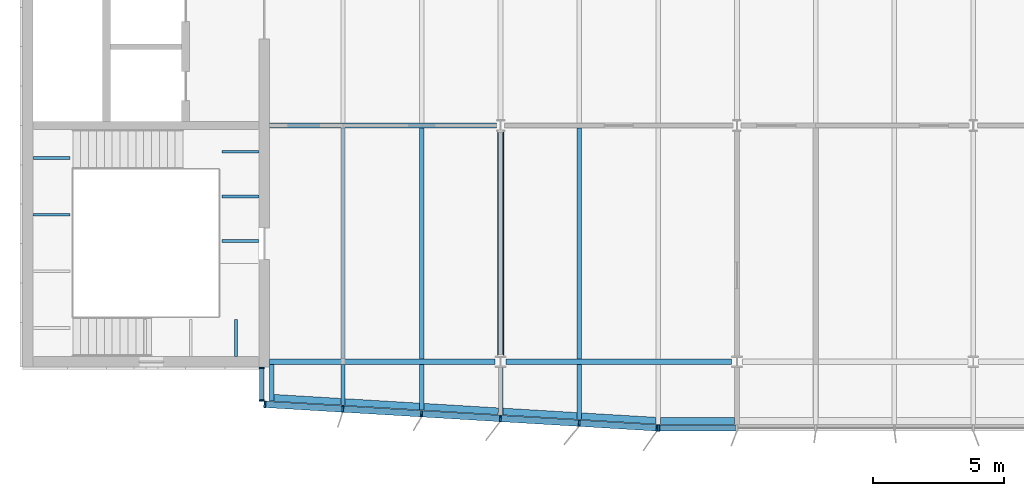
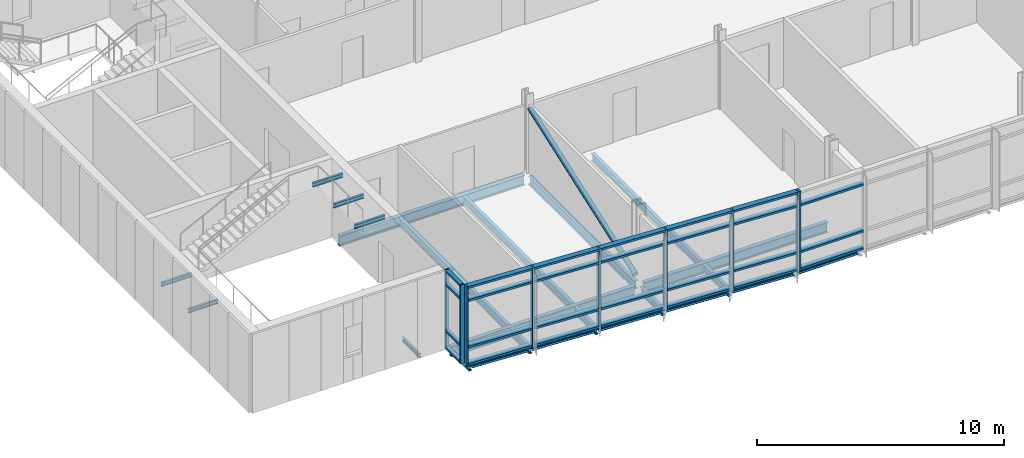
# One storey, part 2 of 18: 37 members, 24 beams, 3 elements without a shape of their own.
"""IFC4 building model written with IfcOpenShell, lengths in metres."""

from ifc_helpers import new_model, si_unit, direction, frame, origin, origin_2d, place, context, subcontext, project, spatial, rectangle, hollow_circle, i_section, extrude, material, material_profile, profile_set, type_object, element, aggregate, save


model = new_model("IFC4")

# Units and contexts
model_context = context("Model", 3, precision=1e-05, world=origin(), true_north=direction((0.0, 1.0)))
body_context = subcontext(model_context, "Body", "Model", "MODEL_VIEW")
ifc_project = project(units=[si_unit("LENGTHUNIT", "METRE"), si_unit("AREAUNIT", "SQUARE_METRE"), si_unit("VOLUMEUNIT", "CUBIC_METRE"), si_unit("PLANEANGLEUNIT", "RADIAN"), si_unit("MASSUNIT", "GRAM", prefix="KILO")], contexts=[model_context])

# Site, building, storey
site_placement = place(None, origin())
site = spatial("IfcSite", under=ifc_project, at=site_placement, CompositionType="ELEMENT")
building_placement = place(site_placement, origin())
building = spatial("IfcBuilding", under=site, at=building_placement, Name="Azimuth Sports and Learning Centre", CompositionType="ELEMENT")
storey_placement = place(building_placement, frame((0.0, 0.0, 63.60009765625)))
storey = spatial("IfcBuildingStorey", under=building, at=storey_placement, Name="L14", CompositionType="ELEMENT", Elevation=63.60009765625)

# Beams
ifc_material_1 = material(Name="Steel S355", Category="steel")
ifc_material_profile_1 = material_profile(ifc_material_1, i_section(OverallWidth=0.10009765625, OverallDepth=0.199951171875, WebThickness=0.005615234375, FlangeThickness=0.008544921875, FilletRadius=0.011962890625, at=origin_2d()), Name="IPE 200")
ifc_profile_set_1 = profile_set([ifc_material_profile_1], Name="Steel S355")
beam_type_1 = type_object("IfcBeamType", Name="Beam IPE 200", PredefinedType="BEAM", material=ifc_profile_set_1)
for number, where, z_axis, x_axis, name in (
    (1, (61.9267578125, 90.199951171875, -0.300048828125), (0.0, 1.0, 0.0), (-1.0, 0.0, 0.0), "Landing bracket W1 L14 141"),
    (2, (54.199951171875, 95.603759765625, 1.349853515625), (1.0, 0.0, 0.0), (0.0, 1.0, 0.0), "Landing bracket W1 L14 144"),
    (3, (54.199951171875, 97.76123046875, 1.349853515625), (1.0, 0.0, 0.0), (0.0, 1.0, 0.0), "Landing bracket W1 L14 145"),
    (4, (62.800048828125, 94.598388671875, 3.599853515625), (-1.0, 0.0, 0.0), (0.0, -1.0, 0.0), "Landing bracket W1 L14 146"),
    (5, (62.800048828125, 96.294921875, 3.599853515625), (-1.0, 0.0, 0.0), (0.0, -1.0, 0.0), "Landing bracket W1 L14 147"),
    (6, (62.800048828125, 97.99169921875, 3.599853515625), (-1.0, 0.0, 0.0), (0.0, -1.0, 0.0), "Landing bracket W1 L14 148"),
):
    element("IfcBeam", number, at=place(storey_placement, frame(where, z_axis=z_axis, x_axis=x_axis)), inside=storey, type_object=beam_type_1, Name=name, PredefinedType="BEAM", context=body_context, shape_type="SweptSolid", body=[
        extrude(i_section(OverallWidth=0.10009765625, OverallDepth=0.199951171875, WebThickness=0.005615234375, FlangeThickness=0.008544921875, FilletRadius=0.011962890625, at=origin_2d()), origin(), (0.0, 0.0, 1.0), 1.41015625),
    ])
ifc_material_2 = material(Name="Steel S355", Category="steel")
ifc_material_profile_2 = material_profile(ifc_material_2, i_section(OverallWidth=0.179931640625, OverallDepth=0.39990234375, WebThickness=0.008544921875, FlangeThickness=0.013427734375, FilletRadius=0.02099609375, at=origin_2d()), Name="IPE 400")
ifc_profile_set_2 = profile_set([ifc_material_profile_2], Name="Steel S355")
beam_type_2 = type_object("IfcBeamType", Name="Beam IPE 400", PredefinedType="BEAM", material=ifc_profile_set_2)
beam_1_placement = place(storey_placement, frame((72.0, 90.217529296875, -0.330078125), z_axis=(0.0, 1.0, 0.0), x_axis=(-1.0, 0.0, 0.0)))
element("IfcBeam", 7, at=beam_1_placement, inside=storey, type_object=beam_type_2, Name="Tower tie", PredefinedType="BEAM", context=body_context, shape_type="SweptSolid", body=[
    extrude(i_section(OverallWidth=0.179931640625, OverallDepth=0.39990234375, WebThickness=0.008544921875, FlangeThickness=0.013427734375, FilletRadius=0.02099609375, at=origin_2d()), origin(), (0.0, 0.0, 1.0), 8.56640625),
])
ifc_material_3 = material(Name="Steel S355", Category="steel")
ifc_material_profile_3 = material_profile(ifc_material_3, i_section(OverallWidth=0.199951171875, OverallDepth=0.5, WebThickness=0.01025390625, FlangeThickness=0.01611328125, FilletRadius=0.02099609375, at=origin_2d()), Name="IPE 500")
ifc_profile_set_3 = profile_set([ifc_material_profile_3], Name="Steel S355")
beam_type_3 = type_object("IfcBeamType", Name="Beam IPE 500", PredefinedType="BEAM", material=ifc_profile_set_3)
beam_2_placement = place(storey_placement, frame((63.199951171875, 90.0, -0.380126953125), z_axis=(1.0, 0.0, 0.0), x_axis=(0.0, 1.0, 0.0)))
element("IfcBeam", 8, at=beam_2_placement, inside=storey, type_object=beam_type_3, Name="Tower girder L14", PredefinedType="BEAM", context=body_context, shape_type="SweptSolid", body=[
    extrude(i_section(OverallWidth=0.199951171875, OverallDepth=0.5, WebThickness=0.01025390625, FlangeThickness=0.01611328125, FilletRadius=0.02099609375, at=origin_2d()), origin(), (0.0, 0.0, 1.0), 8.593994140625),
])
beam_3_placement = place(storey_placement, frame((72.2060546875, 90.0, -0.380126953125), z_axis=(1.0, 0.0, 0.0), x_axis=(0.0, 1.0, 0.0)))
element("IfcBeam", 9, at=beam_3_placement, inside=storey, type_object=beam_type_3, Name="Tower girder L14", PredefinedType="BEAM", context=body_context, shape_type="SweptSolid", body=[
    extrude(i_section(OverallWidth=0.199951171875, OverallDepth=0.5, WebThickness=0.01025390625, FlangeThickness=0.01611328125, FilletRadius=0.02099609375, at=origin_2d()), origin(), (0.0, 0.0, 1.0), 8.587890625),
])
beam_4_placement = place(storey_placement, frame((63.199951171875, 99.0, -0.380126953125), z_axis=(1.0, 0.0, 0.0), x_axis=(0.0, 1.0, 0.0)))
element("IfcBeam", 10, at=beam_4_placement, inside=storey, type_object=beam_type_3, Name="Tower girder L14", PredefinedType="BEAM", context=body_context, shape_type="SweptSolid", body=[
    extrude(i_section(OverallWidth=0.199951171875, OverallDepth=0.5, WebThickness=0.01025390625, FlangeThickness=0.01611328125, FilletRadius=0.02099609375, at=origin_2d()), origin(), (0.0, 0.0, 1.0), 8.646484375),
])

# Member
ifc_material_4 = material(Name="Steel S355", Category="steel")
ifc_material_profile_4 = material_profile(ifc_material_4, hollow_circle(Radius=0.122314453125, WallThickness=0.012451171875, at=origin_2d()), Name="CHS 244.5x12.5")
ifc_profile_set_4 = profile_set([ifc_material_profile_4], Name="Steel S355")
member_type_1 = type_object("IfcMemberType", Name="Brace CHS 244.5x12.5", PredefinedType="BRACE", material=ifc_profile_set_4)
member_1_placement = place(storey_placement, frame((72.0, 90.238525390625, 0.169677734375), z_axis=(0.0, 0.942228129068, 0.33497186866), x_axis=(-1.0, 0.0, 0.0)))
element("IfcMember", 11, at=member_1_placement, inside=storey, type_object=member_type_1, Name="Tower brace 9 L14", PredefinedType="BRACE", context=body_context, shape_type="SweptSolid", body=[
    extrude(hollow_circle(Radius=0.122314453125, WallThickness=0.012451171875, at=origin_2d()), origin(), (0.0, 0.0, 1.0), 9.047119140625),
])

# Beams
ifc_material_5 = material(Name="Steel S355", Category="steel")
ifc_material_profile_5 = material_profile(ifc_material_5, i_section(OverallWidth=0.169921875, OverallDepth=0.360107421875, WebThickness=0.008056640625, FlangeThickness=0.0126953125, FilletRadius=0.01806640625, at=origin_2d()), Name="IPE 360")
ifc_profile_set_5 = profile_set([ifc_material_profile_5], Name="Steel S355")
beam_type_4 = type_object("IfcBeamType", Name="Cantilever stub IPE 360", PredefinedType="JOIST", material=ifc_profile_set_5)
beam_5_placement = place(storey_placement, frame((63.284912109375, 89.89990234375, -0.31005859375), z_axis=(0.0, -1.0, 0.0), x_axis=(1.0, 0.0, 0.0)))
element("IfcBeam", 12, at=beam_5_placement, inside=storey, type_object=beam_type_4, Name="Tower cantilever stub", PredefinedType="JOIST", context=body_context, shape_type="SweptSolid", body=[
    extrude(i_section(OverallWidth=0.169921875, OverallDepth=0.360107421875, WebThickness=0.008056640625, FlangeThickness=0.0126953125, FilletRadius=0.01806640625, at=origin_2d()), origin(), (0.0, 0.0, 1.0), 1.39697265625),
])
beam_6_placement = place(storey_placement, frame((66.0, 89.89990234375, -0.31005859375), z_axis=(0.0, -1.0, 0.0), x_axis=(1.0, 0.0, 0.0)))
element("IfcBeam", 13, at=beam_6_placement, inside=storey, type_object=beam_type_4, Name="Tower cantilever stub", PredefinedType="JOIST", context=body_context, shape_type="SweptSolid", body=[
    extrude(i_section(OverallWidth=0.169921875, OverallDepth=0.360107421875, WebThickness=0.008056640625, FlangeThickness=0.0126953125, FilletRadius=0.01806640625, at=origin_2d()), origin(), (0.0, 0.0, 1.0), 1.559814453125),
])
beam_7_placement = place(storey_placement, frame((69.0, 89.89990234375, -0.31005859375), z_axis=(0.0, -1.0, 0.0), x_axis=(1.0, 0.0, 0.0)))
element("IfcBeam", 14, at=beam_7_placement, inside=storey, type_object=beam_type_4, Name="Tower cantilever stub", PredefinedType="JOIST", context=body_context, shape_type="SweptSolid", body=[
    extrude(i_section(OverallWidth=0.169921875, OverallDepth=0.360107421875, WebThickness=0.008056640625, FlangeThickness=0.0126953125, FilletRadius=0.01806640625, at=origin_2d()), origin(), (0.0, 0.0, 1.0), 1.739990234375),
])
beam_8_placement = place(storey_placement, frame((72.0, 89.782470703125, -0.31005859375), z_axis=(0.0, -1.0, 0.0), x_axis=(1.0, 0.0, 0.0)))
element("IfcBeam", 15, at=beam_8_placement, inside=storey, type_object=beam_type_4, Name="Tower cantilever stub", PredefinedType="JOIST", context=body_context, shape_type="SweptSolid", body=[
    extrude(i_section(OverallWidth=0.169921875, OverallDepth=0.360107421875, WebThickness=0.008056640625, FlangeThickness=0.0126953125, FilletRadius=0.01806640625, at=origin_2d()), origin(), (0.0, 0.0, 1.0), 1.802490234375),
])
beam_9_placement = place(storey_placement, frame((75.0, 89.89990234375, -0.31005859375), z_axis=(0.0, -1.0, 0.0), x_axis=(1.0, 0.0, 0.0)))
element("IfcBeam", 16, at=beam_9_placement, inside=storey, type_object=beam_type_4, Name="Tower cantilever stub", PredefinedType="JOIST", context=body_context, shape_type="SweptSolid", body=[
    extrude(i_section(OverallWidth=0.169921875, OverallDepth=0.360107421875, WebThickness=0.008056640625, FlangeThickness=0.0126953125, FilletRadius=0.01806640625, at=origin_2d()), origin(), (0.0, 0.0, 1.0), 2.099853515625),
])
ifc_material_6 = material(Name="Steel S355", Category="steel")
ifc_material_profile_6 = material_profile(ifc_material_6, i_section(OverallWidth=0.260009765625, OverallDepth=0.25, WebThickness=0.007568359375, FlangeThickness=0.012451171875, FilletRadius=0.02392578125, at=origin_2d()), Name="HEA 260")
ifc_profile_set_6 = profile_set([ifc_material_profile_6], Name="Steel S355")
beam_type_5 = type_object("IfcBeamType", Name="Edge beam HEA 260", PredefinedType="SPANDREL", material=ifc_profile_set_6)
beam_10_placement = place(storey_placement, frame((63.3701171875, 88.627685546875, -0.255126953125), z_axis=(0.998207363591, -0.059850307199, 0.0), x_axis=(0.059850307199, 0.998207363591, 0.0)))
element("IfcBeam", 17, at=beam_10_placement, inside=storey, type_object=beam_type_5, Name="Tower edge beam", PredefinedType="SPANDREL", context=body_context, shape_type="SweptSolid", body=[
    extrude(i_section(OverallWidth=0.260009765625, OverallDepth=0.25, WebThickness=0.007568359375, FlangeThickness=0.012451171875, FilletRadius=0.02392578125, at=origin_2d()), origin(), (0.0, 0.0, 1.0), 2.549560546875),
])
for number, where, z_axis, x_axis, name in (
    (18, (66.0849609375, 88.46484375, -0.255126953125), (0.998207521518, -0.059847673176, 0.0), (0.059847673176, 0.998207521518, 0.0), "Tower edge beam"),
    (19, (69.0849609375, 88.284912109375, -0.255126953125), (0.998202373506, -0.059933475842, 0.0), (0.059933475842, 0.998202373506, 0.0), "Tower edge beam"),
    (20, (72.0849609375, 88.10498046875, -0.255126953125), (0.998202373506, -0.059933475842, 0.0), (0.059933475842, 0.998202373506, 0.0), "Tower edge beam"),
    (21, (75.0849609375, 87.9248046875, -0.255126953125), (0.998207521518, -0.059847673176, 0.0), (0.059847673176, 0.998207521518, 0.0), "Tower edge beam"),
):
    element("IfcBeam", number, at=place(storey_placement, frame(where, z_axis=z_axis, x_axis=x_axis)), inside=storey, type_object=beam_type_5, Name=name, PredefinedType="SPANDREL", context=body_context, shape_type="SweptSolid", body=[
        extrude(i_section(OverallWidth=0.260009765625, OverallDepth=0.25, WebThickness=0.007568359375, FlangeThickness=0.012451171875, FilletRadius=0.02392578125, at=origin_2d()), origin(), (0.0, 0.0, 1.0), 2.835205078125),
    ])
beam_11_placement = place(storey_placement, frame((78.0849609375, 87.75, -0.255126953125), z_axis=(1.0, 0.0, 0.0), x_axis=(0.0, 1.0, 0.0)))
element("IfcBeam", 22, at=beam_11_placement, inside=storey, type_object=beam_type_5, Name="Tower edge beam", PredefinedType="SPANDREL", context=body_context, shape_type="SweptSolid", body=[
    extrude(i_section(OverallWidth=0.260009765625, OverallDepth=0.25, WebThickness=0.007568359375, FlangeThickness=0.012451171875, FilletRadius=0.02392578125, at=origin_2d()), origin(), (0.0, 0.0, 1.0), 2.830078125),
])
ifc_material_7 = material(Name="Steel S355", Category="steel")
ifc_material_profile_7 = material_profile(ifc_material_7, i_section(OverallWidth=0.169921875, OverallDepth=0.360107421875, WebThickness=0.008056640625, FlangeThickness=0.0126953125, FilletRadius=0.01806640625, at=origin_2d()), Name="IPE 360")
ifc_profile_set_7 = profile_set([ifc_material_profile_7], Name="Steel S355")
beam_type_6 = type_object("IfcBeamType", Name="Joist IPE 360", PredefinedType="JOIST", material=ifc_profile_set_7)
for number, where, z_axis, x_axis, name in (
    (23, (66.0, 90.10009765625, -0.31005859375), (0.0, 1.0, 0.0), (-1.0, 0.0, 0.0), "Tower joist"),
    (24, (69.0, 90.10009765625, -0.31005859375), (0.0, 1.0, 0.0), (-1.0, 0.0, 0.0), "Tower joist"),
    (25, (75.0, 90.10009765625, -0.31005859375), (0.0, 1.0, 0.0), (-1.0, 0.0, 0.0), "Tower joist"),
):
    element("IfcBeam", number, at=place(storey_placement, frame(where, z_axis=z_axis, x_axis=x_axis)), inside=storey, type_object=beam_type_6, Name=name, PredefinedType="JOIST", context=body_context, shape_type="SweptSolid", body=[
        extrude(i_section(OverallWidth=0.169921875, OverallDepth=0.360107421875, WebThickness=0.008056640625, FlangeThickness=0.0126953125, FilletRadius=0.01806640625, at=origin_2d()), origin(), (0.0, 0.0, 1.0), 8.7998046875),
    ])

# Curtain wall, members
ifc_material_8 = material(Name="Aluminium and glass", Category="aluminium")
curtain_wall_type_1 = type_object("IfcCurtainWallType", Name="Curtain wall tower return 180", PredefinedType="NOTDEFINED", material=ifc_material_8)
curtain_wall_1_placement = place(storey_placement, origin())
curtain_wall_1 = element("IfcCurtainWall", 26, at=curtain_wall_1_placement, inside=storey, type_object=curtain_wall_type_1, Name="Curtain wall CW14-001", PredefinedType="NOTDEFINED")
ifc_material_9 = material(Name="Aluminium", Category="aluminium")
ifc_material_profile_8 = material_profile(ifc_material_9, rectangle(XDim=0.179931640625, YDim=0.06005859375, at=origin_2d()), Name="Mullion 60x180")
ifc_profile_set_8 = profile_set([ifc_material_profile_8], Name="Aluminium")
member_type_2 = type_object("IfcMemberType", Name="Mullion 60x180", PredefinedType="MULLION", material=ifc_profile_set_8)
member_2_placement = place(storey_placement, frame((62.909912109375, 89.77001953125, 0.0), z_axis=(0.0, 0.0, 1.0), x_axis=(1.0, 0.0, 0.0)))
member_2 = element("IfcMember", 27, at=member_2_placement, type_object=member_type_2, Name="CW14-001 mullion 1", PredefinedType="MULLION", context=body_context, shape_type="SweptSolid", body=[
    extrude(rectangle(XDim=0.179931640625, YDim=0.06005859375, at=origin_2d()), origin(), (0.0, 0.0, 1.0), 3.89990234375),
])
member_3_placement = place(storey_placement, frame((62.909912109375, 88.530029296875, 0.0), z_axis=(0.0, 0.0, 1.0), x_axis=(1.0, 0.0, 0.0)))
member_3 = element("IfcMember", 28, at=member_3_placement, type_object=member_type_2, Name="CW14-001 mullion 2", PredefinedType="MULLION", context=body_context, shape_type="SweptSolid", body=[
    extrude(rectangle(XDim=0.179931640625, YDim=0.06005859375, at=origin_2d()), origin(), (0.0, 0.0, 1.0), 3.89990234375),
])

ifc_material_10 = material(Name="Aluminium and glass", Category="aluminium")
curtain_wall_type_2 = type_object("IfcCurtainWallType", Name="Curtain wall tower south 240", PredefinedType="NOTDEFINED", material=ifc_material_10)
curtain_wall_2_placement = place(storey_placement, origin())
curtain_wall_2 = element("IfcCurtainWall", 29, at=curtain_wall_2_placement, inside=storey, type_object=curtain_wall_type_2, Name="Curtain wall CW14-002", PredefinedType="NOTDEFINED")
ifc_material_11 = material(Name="Aluminium", Category="aluminium")
ifc_material_profile_9 = material_profile(ifc_material_11, rectangle(XDim=0.239990234375, YDim=0.070068359375, at=origin_2d()), Name="Mullion 70x240")
ifc_profile_set_9 = profile_set([ifc_material_profile_9], Name="Aluminium")
member_type_3 = type_object("IfcMemberType", Name="Mullion 70x240", PredefinedType="MULLION", material=ifc_profile_set_9)
member_4_placement = place(storey_placement, frame((63.02783203125, 88.378173828125, 0.0), z_axis=(0.0, 0.0, 1.0), x_axis=(0.059891991812, 0.998204863401, 0.0)))
member_4 = element("IfcMember", 30, at=member_4_placement, type_object=member_type_3, Name="CW14-002 mullion 1", PredefinedType="MULLION", context=body_context, shape_type="SweptSolid", body=[
    extrude(rectangle(XDim=0.239990234375, YDim=0.070068359375, at=origin_2d()), origin(), (0.0, 0.0, 1.0), 3.89990234375),
])
member_5_placement = place(storey_placement, frame((65.992919921875, 88.2001953125, 0.0), z_axis=(0.0, 0.0, 1.0), x_axis=(0.059891991812, 0.998204863401, 0.0)))
member_5 = element("IfcMember", 31, at=member_5_placement, type_object=member_type_3, Name="CW14-002 mullion 2", PredefinedType="MULLION", context=body_context, shape_type="SweptSolid", body=[
    extrude(rectangle(XDim=0.239990234375, YDim=0.070068359375, at=origin_2d()), origin(), (0.0, 0.0, 1.0), 3.89990234375),
])
member_6_placement = place(storey_placement, frame((68.992919921875, 88.020263671875, 0.0), z_axis=(0.0, 0.0, 1.0), x_axis=(0.059891991812, 0.998204863401, 0.0)))
member_6 = element("IfcMember", 32, at=member_6_placement, type_object=member_type_3, Name="CW14-002 mullion 3", PredefinedType="MULLION", context=body_context, shape_type="SweptSolid", body=[
    extrude(rectangle(XDim=0.239990234375, YDim=0.070068359375, at=origin_2d()), origin(), (0.0, 0.0, 1.0), 3.89990234375),
])
member_7_placement = place(storey_placement, frame((71.992919921875, 87.84033203125, 0.0), z_axis=(0.0, 0.0, 1.0), x_axis=(0.059891991812, 0.998204863401, 0.0)))
member_7 = element("IfcMember", 33, at=member_7_placement, type_object=member_type_3, Name="CW14-002 mullion 4", PredefinedType="MULLION", context=body_context, shape_type="SweptSolid", body=[
    extrude(rectangle(XDim=0.239990234375, YDim=0.070068359375, at=origin_2d()), origin(), (0.0, 0.0, 1.0), 3.89990234375),
])
member_8_placement = place(storey_placement, frame((74.992919921875, 87.66015625, 0.0), z_axis=(0.0, 0.0, 1.0), x_axis=(0.059891991812, 0.998204863401, 0.0)))
member_8 = element("IfcMember", 34, at=member_8_placement, type_object=member_type_3, Name="CW14-002 mullion 5", PredefinedType="MULLION", context=body_context, shape_type="SweptSolid", body=[
    extrude(rectangle(XDim=0.239990234375, YDim=0.070068359375, at=origin_2d()), origin(), (0.0, 0.0, 1.0), 3.89990234375),
])
member_9_placement = place(storey_placement, frame((77.957763671875, 87.482421875, 0.0), z_axis=(0.0, 0.0, 1.0), x_axis=(0.059891991812, 0.998204863401, 0.0)))
member_9 = element("IfcMember", 35, at=member_9_placement, type_object=member_type_3, Name="CW14-002 mullion 6", PredefinedType="MULLION", context=body_context, shape_type="SweptSolid", body=[
    extrude(rectangle(XDim=0.239990234375, YDim=0.070068359375, at=origin_2d()), origin(), (0.0, 0.0, 1.0), 3.89990234375),
])

# Curtain wall, member
curtain_wall_3_placement = place(storey_placement, origin())
curtain_wall_3 = element("IfcCurtainWall", 36, at=curtain_wall_3_placement, inside=storey, type_object=curtain_wall_type_2, Name="Curtain wall CW14-003", PredefinedType="NOTDEFINED")
member_10_placement = place(storey_placement, frame((78.02783203125, 87.47998046875, 0.0), z_axis=(0.0, 0.0, 1.0), x_axis=(0.0, 1.0, 0.0)))
member_10 = element("IfcMember", 37, at=member_10_placement, type_object=member_type_3, Name="CW14-003 mullion 1", PredefinedType="MULLION", context=body_context, shape_type="SweptSolid", body=[
    extrude(rectangle(XDim=0.239990234375, YDim=0.070068359375, at=origin_2d()), origin(), (0.0, 0.0, 1.0), 3.89990234375),
])

# Member
ifc_material_12 = material(Name="Aluminium", Category="aluminium")
ifc_material_profile_10 = material_profile(ifc_material_12, rectangle(XDim=0.179931640625, YDim=0.10009765625, at=origin_2d()), Name="Transom 100x180")
ifc_profile_set_10 = profile_set([ifc_material_profile_10], Name="Aluminium")
member_type_4 = type_object("IfcMemberType", Name="Transom 100x180", PredefinedType="USERDEFINED", material=ifc_profile_set_10)
member_11_placement = place(storey_placement, frame((62.909912109375, 89.739990234375, 0.0498046875), z_axis=(0.0, -1.0, 0.0), x_axis=(1.0, 0.0, 0.0)))
member_11 = element("IfcMember", 38, at=member_11_placement, type_object=member_type_4, Name="CW14-001 transom 1.1", ObjectType="TRANSOM", PredefinedType="USERDEFINED", context=body_context, shape_type="SweptSolid", body=[
    extrude(rectangle(XDim=0.179931640625, YDim=0.10009765625, at=origin_2d()), origin(), (0.0, 0.0, 1.0), 1.179931640625),
])

member_12_placement = place(storey_placement, frame((62.909912109375, 89.739990234375, 0.89990234375), z_axis=(0.0, -1.0, 0.0), x_axis=(1.0, 0.0, 0.0)))
member_12 = element("IfcMember", 39, at=member_12_placement, type_object=member_type_4, Name="CW14-001 transom 1.2", ObjectType="TRANSOM", PredefinedType="USERDEFINED", context=body_context, shape_type="SweptSolid", body=[
    extrude(rectangle(XDim=0.179931640625, YDim=0.10009765625, at=origin_2d()), origin(), (0.0, 0.0, 1.0), 1.179931640625),
])

member_13_placement = place(storey_placement, frame((62.909912109375, 89.739990234375, 3.199951171875), z_axis=(0.0, -1.0, 0.0), x_axis=(1.0, 0.0, 0.0)))
member_13 = element("IfcMember", 40, at=member_13_placement, type_object=member_type_4, Name="CW14-001 transom 1.3", ObjectType="TRANSOM", PredefinedType="USERDEFINED", context=body_context, shape_type="SweptSolid", body=[
    extrude(rectangle(XDim=0.179931640625, YDim=0.10009765625, at=origin_2d()), origin(), (0.0, 0.0, 1.0), 1.179931640625),
])

member_14_placement = place(storey_placement, frame((62.909912109375, 89.739990234375, 3.849853515625), z_axis=(0.0, -1.0, 0.0), x_axis=(1.0, 0.0, 0.0)))
member_14 = element("IfcMember", 41, at=member_14_placement, type_object=member_type_4, Name="CW14-001 transom 1.4", ObjectType="TRANSOM", PredefinedType="USERDEFINED", context=body_context, shape_type="SweptSolid", body=[
    extrude(rectangle(XDim=0.179931640625, YDim=0.10009765625, at=origin_2d()), origin(), (0.0, 0.0, 1.0), 1.179931640625),
])

aggregate(curtain_wall_1, [member_2, member_3, member_11, member_12, member_13, member_14])

ifc_material_13 = material(Name="Aluminium", Category="aluminium")
ifc_material_profile_11 = material_profile(ifc_material_13, rectangle(XDim=0.239990234375, YDim=0.10009765625, at=origin_2d()), Name="Transom 100x240")
ifc_profile_set_11 = profile_set([ifc_material_profile_11], Name="Aluminium")
member_type_5 = type_object("IfcMemberType", Name="Transom 100x240", PredefinedType="USERDEFINED", material=ifc_profile_set_11)
member_15_placement = place(storey_placement, frame((63.062744140625, 88.3759765625, 0.0498046875), z_axis=(0.998207260343, -0.059852029187, 0.0), x_axis=(0.059852029187, 0.998207260343, 0.0)))
member_15 = element("IfcMember", 42, at=member_15_placement, type_object=member_type_5, Name="CW14-002 transom 1.1", ObjectType="TRANSOM", PredefinedType="USERDEFINED", context=body_context, shape_type="SweptSolid", body=[
    extrude(rectangle(XDim=0.239990234375, YDim=0.10009765625, at=origin_2d()), origin(), (0.0, 0.0, 1.0), 2.900146484375),
])

member_16_placement = place(storey_placement, frame((63.062744140625, 88.3759765625, 0.89990234375), z_axis=(0.998207260343, -0.059852029187, 0.0), x_axis=(0.059852029187, 0.998207260343, 0.0)))
member_16 = element("IfcMember", 43, at=member_16_placement, type_object=member_type_5, Name="CW14-002 transom 1.2", ObjectType="TRANSOM", PredefinedType="USERDEFINED", context=body_context, shape_type="SweptSolid", body=[
    extrude(rectangle(XDim=0.239990234375, YDim=0.10009765625, at=origin_2d()), origin(), (0.0, 0.0, 1.0), 2.900146484375),
])

member_17_placement = place(storey_placement, frame((63.062744140625, 88.3759765625, 3.199951171875), z_axis=(0.998207260343, -0.059852029187, 0.0), x_axis=(0.059852029187, 0.998207260343, 0.0)))
member_17 = element("IfcMember", 44, at=member_17_placement, type_object=member_type_5, Name="CW14-002 transom 1.3", ObjectType="TRANSOM", PredefinedType="USERDEFINED", context=body_context, shape_type="SweptSolid", body=[
    extrude(rectangle(XDim=0.239990234375, YDim=0.10009765625, at=origin_2d()), origin(), (0.0, 0.0, 1.0), 2.900146484375),
])

member_18_placement = place(storey_placement, frame((63.062744140625, 88.3759765625, 3.849853515625), z_axis=(0.998207260343, -0.059852029187, 0.0), x_axis=(0.059852029187, 0.998207260343, 0.0)))
member_18 = element("IfcMember", 45, at=member_18_placement, type_object=member_type_5, Name="CW14-002 transom 1.4", ObjectType="TRANSOM", PredefinedType="USERDEFINED", context=body_context, shape_type="SweptSolid", body=[
    extrude(rectangle(XDim=0.239990234375, YDim=0.10009765625, at=origin_2d()), origin(), (0.0, 0.0, 1.0), 2.900146484375),
])

member_19_placement = place(storey_placement, frame((66.02783203125, 88.197998046875, 0.0498046875), z_axis=(0.998205143816, -0.059887318019, 0.0), x_axis=(0.059887318019, 0.998205143816, 0.0)))
member_19 = element("IfcMember", 46, at=member_19_placement, type_object=member_type_5, Name="CW14-002 transom 2.1", ObjectType="TRANSOM", PredefinedType="USERDEFINED", context=body_context, shape_type="SweptSolid", body=[
    extrude(rectangle(XDim=0.239990234375, YDim=0.10009765625, at=origin_2d()), origin(), (0.0, 0.0, 1.0), 2.935302734375),
])

member_20_placement = place(storey_placement, frame((66.02783203125, 88.197998046875, 0.89990234375), z_axis=(0.998205143816, -0.059887318019, 0.0), x_axis=(0.059887318019, 0.998205143816, 0.0)))
member_20 = element("IfcMember", 47, at=member_20_placement, type_object=member_type_5, Name="CW14-002 transom 2.2", ObjectType="TRANSOM", PredefinedType="USERDEFINED", context=body_context, shape_type="SweptSolid", body=[
    extrude(rectangle(XDim=0.239990234375, YDim=0.10009765625, at=origin_2d()), origin(), (0.0, 0.0, 1.0), 2.935302734375),
])

member_21_placement = place(storey_placement, frame((66.02783203125, 88.197998046875, 3.199951171875), z_axis=(0.998205143816, -0.059887318019, 0.0), x_axis=(0.059887318019, 0.998205143816, 0.0)))
member_21 = element("IfcMember", 48, at=member_21_placement, type_object=member_type_5, Name="CW14-002 transom 2.3", ObjectType="TRANSOM", PredefinedType="USERDEFINED", context=body_context, shape_type="SweptSolid", body=[
    extrude(rectangle(XDim=0.239990234375, YDim=0.10009765625, at=origin_2d()), origin(), (0.0, 0.0, 1.0), 2.935302734375),
])

member_22_placement = place(storey_placement, frame((66.02783203125, 88.197998046875, 3.849853515625), z_axis=(0.998205143816, -0.059887318019, 0.0), x_axis=(0.059887318019, 0.998205143816, 0.0)))
member_22 = element("IfcMember", 49, at=member_22_placement, type_object=member_type_5, Name="CW14-002 transom 2.4", ObjectType="TRANSOM", PredefinedType="USERDEFINED", context=body_context, shape_type="SweptSolid", body=[
    extrude(rectangle(XDim=0.239990234375, YDim=0.10009765625, at=origin_2d()), origin(), (0.0, 0.0, 1.0), 2.935302734375),
])

member_23_placement = place(storey_placement, frame((69.02783203125, 88.01806640625, 0.0498046875), z_axis=(0.998205143816, -0.059887318019, 0.0), x_axis=(0.059887318019, 0.998205143816, 0.0)))
member_23 = element("IfcMember", 50, at=member_23_placement, type_object=member_type_5, Name="CW14-002 transom 3.1", ObjectType="TRANSOM", PredefinedType="USERDEFINED", context=body_context, shape_type="SweptSolid", body=[
    extrude(rectangle(XDim=0.239990234375, YDim=0.10009765625, at=origin_2d()), origin(), (0.0, 0.0, 1.0), 2.935302734375),
])

member_24_placement = place(storey_placement, frame((69.02783203125, 88.01806640625, 0.89990234375), z_axis=(0.998205143816, -0.059887318019, 0.0), x_axis=(0.059887318019, 0.998205143816, 0.0)))
member_24 = element("IfcMember", 51, at=member_24_placement, type_object=member_type_5, Name="CW14-002 transom 3.2", ObjectType="TRANSOM", PredefinedType="USERDEFINED", context=body_context, shape_type="SweptSolid", body=[
    extrude(rectangle(XDim=0.239990234375, YDim=0.10009765625, at=origin_2d()), origin(), (0.0, 0.0, 1.0), 2.935302734375),
])

member_25_placement = place(storey_placement, frame((69.02783203125, 88.01806640625, 3.199951171875), z_axis=(0.998205143816, -0.059887318019, 0.0), x_axis=(0.059887318019, 0.998205143816, 0.0)))
member_25 = element("IfcMember", 52, at=member_25_placement, type_object=member_type_5, Name="CW14-002 transom 3.3", ObjectType="TRANSOM", PredefinedType="USERDEFINED", context=body_context, shape_type="SweptSolid", body=[
    extrude(rectangle(XDim=0.239990234375, YDim=0.10009765625, at=origin_2d()), origin(), (0.0, 0.0, 1.0), 2.935302734375),
])

member_26_placement = place(storey_placement, frame((69.02783203125, 88.01806640625, 3.849853515625), z_axis=(0.998205143816, -0.059887318019, 0.0), x_axis=(0.059887318019, 0.998205143816, 0.0)))
member_26 = element("IfcMember", 53, at=member_26_placement, type_object=member_type_5, Name="CW14-002 transom 3.4", ObjectType="TRANSOM", PredefinedType="USERDEFINED", context=body_context, shape_type="SweptSolid", body=[
    extrude(rectangle(XDim=0.239990234375, YDim=0.10009765625, at=origin_2d()), origin(), (0.0, 0.0, 1.0), 2.935302734375),
])

member_27_placement = place(storey_placement, frame((72.02783203125, 87.838134765625, 0.0498046875), z_axis=(0.998205143816, -0.059887318019, 0.0), x_axis=(0.059887318019, 0.998205143816, 0.0)))
member_27 = element("IfcMember", 54, at=member_27_placement, type_object=member_type_5, Name="CW14-002 transom 4.1", ObjectType="TRANSOM", PredefinedType="USERDEFINED", context=body_context, shape_type="SweptSolid", body=[
    extrude(rectangle(XDim=0.239990234375, YDim=0.10009765625, at=origin_2d()), origin(), (0.0, 0.0, 1.0), 2.935302734375),
])

member_28_placement = place(storey_placement, frame((72.02783203125, 87.838134765625, 0.89990234375), z_axis=(0.998205143816, -0.059887318019, 0.0), x_axis=(0.059887318019, 0.998205143816, 0.0)))
member_28 = element("IfcMember", 55, at=member_28_placement, type_object=member_type_5, Name="CW14-002 transom 4.2", ObjectType="TRANSOM", PredefinedType="USERDEFINED", context=body_context, shape_type="SweptSolid", body=[
    extrude(rectangle(XDim=0.239990234375, YDim=0.10009765625, at=origin_2d()), origin(), (0.0, 0.0, 1.0), 2.935302734375),
])

member_29_placement = place(storey_placement, frame((72.02783203125, 87.838134765625, 3.199951171875), z_axis=(0.998205143816, -0.059887318019, 0.0), x_axis=(0.059887318019, 0.998205143816, 0.0)))
member_29 = element("IfcMember", 56, at=member_29_placement, type_object=member_type_5, Name="CW14-002 transom 4.3", ObjectType="TRANSOM", PredefinedType="USERDEFINED", context=body_context, shape_type="SweptSolid", body=[
    extrude(rectangle(XDim=0.239990234375, YDim=0.10009765625, at=origin_2d()), origin(), (0.0, 0.0, 1.0), 2.935302734375),
])

member_30_placement = place(storey_placement, frame((72.02783203125, 87.838134765625, 3.849853515625), z_axis=(0.998205143816, -0.059887318019, 0.0), x_axis=(0.059887318019, 0.998205143816, 0.0)))
member_30 = element("IfcMember", 57, at=member_30_placement, type_object=member_type_5, Name="CW14-002 transom 4.4", ObjectType="TRANSOM", PredefinedType="USERDEFINED", context=body_context, shape_type="SweptSolid", body=[
    extrude(rectangle(XDim=0.239990234375, YDim=0.10009765625, at=origin_2d()), origin(), (0.0, 0.0, 1.0), 2.935302734375),
])

member_31_placement = place(storey_placement, frame((75.02783203125, 87.658203125, 0.0498046875), z_axis=(0.998202227529, -0.059935907067, 0.0), x_axis=(0.059935907067, 0.998202227529, 0.0)))
member_31 = element("IfcMember", 58, at=member_31_placement, type_object=member_type_5, Name="CW14-002 transom 5.1", ObjectType="TRANSOM", PredefinedType="USERDEFINED", context=body_context, shape_type="SweptSolid", body=[
    extrude(rectangle(XDim=0.239990234375, YDim=0.10009765625, at=origin_2d()), origin(), (0.0, 0.0, 1.0), 2.900146484375),
])

member_32_placement = place(storey_placement, frame((75.02783203125, 87.658203125, 0.89990234375), z_axis=(0.998202227529, -0.059935907067, 0.0), x_axis=(0.059935907067, 0.998202227529, 0.0)))
member_32 = element("IfcMember", 59, at=member_32_placement, type_object=member_type_5, Name="CW14-002 transom 5.2", ObjectType="TRANSOM", PredefinedType="USERDEFINED", context=body_context, shape_type="SweptSolid", body=[
    extrude(rectangle(XDim=0.239990234375, YDim=0.10009765625, at=origin_2d()), origin(), (0.0, 0.0, 1.0), 2.900146484375),
])

member_33_placement = place(storey_placement, frame((75.02783203125, 87.658203125, 3.199951171875), z_axis=(0.998202227529, -0.059935907067, 0.0), x_axis=(0.059935907067, 0.998202227529, 0.0)))
member_33 = element("IfcMember", 60, at=member_33_placement, type_object=member_type_5, Name="CW14-002 transom 5.3", ObjectType="TRANSOM", PredefinedType="USERDEFINED", context=body_context, shape_type="SweptSolid", body=[
    extrude(rectangle(XDim=0.239990234375, YDim=0.10009765625, at=origin_2d()), origin(), (0.0, 0.0, 1.0), 2.900146484375),
])

member_34_placement = place(storey_placement, frame((75.02783203125, 87.658203125, 3.849853515625), z_axis=(0.998202227529, -0.059935907067, 0.0), x_axis=(0.059935907067, 0.998202227529, 0.0)))
member_34 = element("IfcMember", 61, at=member_34_placement, type_object=member_type_5, Name="CW14-002 transom 5.4", ObjectType="TRANSOM", PredefinedType="USERDEFINED", context=body_context, shape_type="SweptSolid", body=[
    extrude(rectangle(XDim=0.239990234375, YDim=0.10009765625, at=origin_2d()), origin(), (0.0, 0.0, 1.0), 2.900146484375),
])

aggregate(curtain_wall_2, [member_4, member_5, member_6, member_7, member_8, member_9, member_15, member_16, member_17, member_18, member_19, member_20, member_21, member_22, member_23, member_24, member_25, member_26, member_27, member_28, member_29, member_30, member_31, member_32, member_33, member_34])

member_35_placement = place(storey_placement, frame((78.062744140625, 87.47998046875, 0.0498046875), z_axis=(1.0, 0.0, 0.0), x_axis=(0.0, 1.0, 0.0)))
member_35 = element("IfcMember", 62, at=member_35_placement, type_object=member_type_5, Name="CW14-003 transom 1.1", ObjectType="TRANSOM", PredefinedType="USERDEFINED", context=body_context, shape_type="SweptSolid", body=[
    extrude(rectangle(XDim=0.239990234375, YDim=0.10009765625, at=origin_2d()), origin(), (0.0, 0.0, 1.0), 2.90234375),
])

member_36_placement = place(storey_placement, frame((78.062744140625, 87.47998046875, 0.89990234375), z_axis=(1.0, 0.0, 0.0), x_axis=(0.0, 1.0, 0.0)))
member_36 = element("IfcMember", 63, at=member_36_placement, type_object=member_type_5, Name="CW14-003 transom 1.2", ObjectType="TRANSOM", PredefinedType="USERDEFINED", context=body_context, shape_type="SweptSolid", body=[
    extrude(rectangle(XDim=0.239990234375, YDim=0.10009765625, at=origin_2d()), origin(), (0.0, 0.0, 1.0), 2.90234375),
])

member_37_placement = place(storey_placement, frame((78.062744140625, 87.47998046875, 3.199951171875), z_axis=(1.0, 0.0, 0.0), x_axis=(0.0, 1.0, 0.0)))
member_37 = element("IfcMember", 64, at=member_37_placement, type_object=member_type_5, Name="CW14-003 transom 1.3", ObjectType="TRANSOM", PredefinedType="USERDEFINED", context=body_context, shape_type="SweptSolid", body=[
    extrude(rectangle(XDim=0.239990234375, YDim=0.10009765625, at=origin_2d()), origin(), (0.0, 0.0, 1.0), 2.90234375),
])

aggregate(curtain_wall_3, [member_10, member_35, member_36, member_37])

save(model, "model.ifc")
